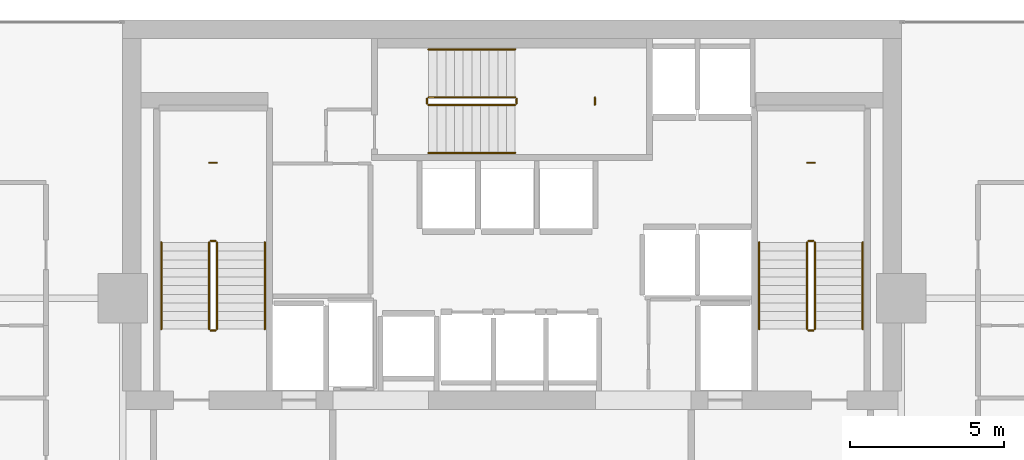
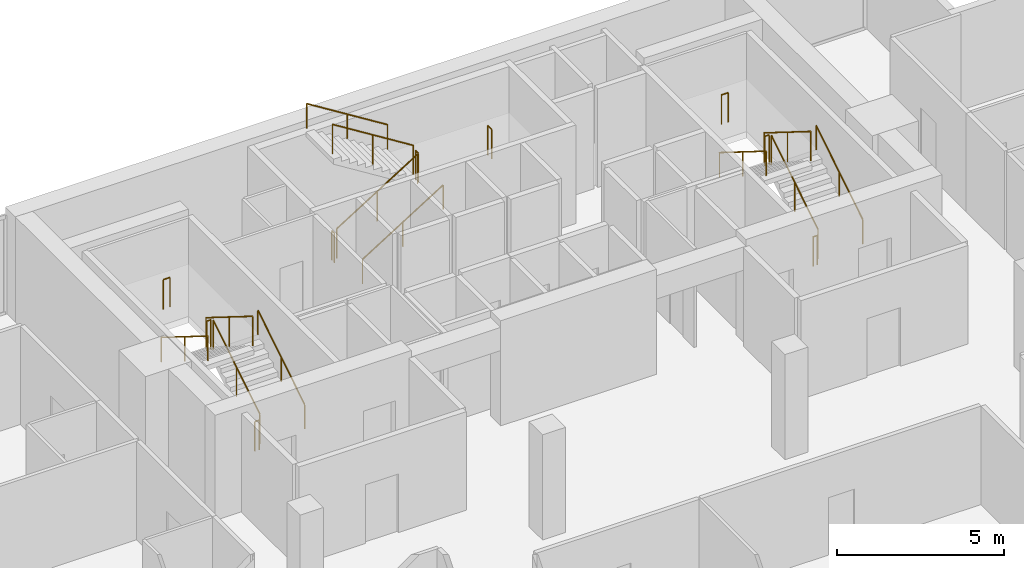
# One storey, part 25 of 25: 21 railings.
"""IFC4 building model written with IfcOpenShell, lengths in metres."""

from ifc_helpers import new_model, si_unit, direction, frame, origin, origin_2d, place, context, subcontext, project, spatial, circle, extrude, material, type_object, element, save


model = new_model("IFC4")

# Units and contexts
model_context = context("Model", 3, precision=1e-05, world=origin(), true_north=direction((0.0, 1.0)))
body_context = subcontext(model_context, "Body", "Model", "MODEL_VIEW")
ifc_project = project(units=[si_unit("LENGTHUNIT", "METRE"), si_unit("AREAUNIT", "SQUARE_METRE"), si_unit("VOLUMEUNIT", "CUBIC_METRE"), si_unit("PLANEANGLEUNIT", "RADIAN"), si_unit("MASSUNIT", "GRAM", prefix="KILO")], contexts=[model_context])

# Site, building, storey
site_placement = place(None, origin())
site = spatial("IfcSite", under=ifc_project, at=site_placement, CompositionType="ELEMENT")
building_placement = place(site_placement, origin())
building = spatial("IfcBuilding", under=site, at=building_placement, Name="Maruvema Waterfront Hotel and Observation Tower", CompositionType="ELEMENT")
storey_placement = place(building_placement, frame((0.0, 0.0, 239.39990234375)))
storey = spatial("IfcBuildingStorey", under=building, at=storey_placement, Name="L58", CompositionType="ELEMENT", Elevation=239.39990234375)

# Railings
ifc_material_1 = material(Name="Brushed stainless steel Grade 316", Category="steel")
railing_type_1 = type_object("IfcRailingType", Name="Ramp Continuous Wall Handrail 920 mm", PredefinedType="HANDRAIL", material=ifc_material_1)
railing_1_placement = place(storey_placement, frame((29.800048828125, 44.0, 0.175048828125)))
element("IfcRailing", 1, at=railing_1_placement, inside=storey, type_object=railing_type_1, Name="L58 ST-01 stair handrail 1", PredefinedType="HANDRAIL", context=body_context, shape_type="SweptSolid", body=[
    extrude(circle(Radius=0.02392578125, at=origin_2d()), frame((0.0, 0.0, 0.89599609375), z_axis=(0.0, 0.848002457836, 0.529992293815), x_axis=(-1.0, 0.0, 0.0)), (0.0, 0.0, 1.0), 3.302001953125),
    extrude(circle(Radius=0.02099609375, at=origin_2d()), origin(), (0.0, 0.0, 1.0), 0.871826171875),
    extrude(circle(Radius=0.02099609375, at=origin_2d()), frame((0.0, 1.39990234375, 0.875)), (0.0, 0.0, 1.0), 0.871826171875),
    extrude(circle(Radius=0.02099609375, at=origin_2d()), frame((0.0, 2.800048828125, 1.75)), (0.0, 0.0, 1.0), 0.871826171875),
])
railing_2_placement = place(storey_placement, frame((26.449951171875, 46.800048828125, 2.10009765625)))
element("IfcRailing", 2, at=railing_2_placement, inside=storey, type_object=railing_type_1, Name="L58 ST-01 stair handrail 2", PredefinedType="HANDRAIL", context=body_context, shape_type="SweptSolid", body=[
    extrude(circle(Radius=0.02392578125, at=origin_2d()), frame((0.0, 0.0, 0.89599609375), z_axis=(0.0, -0.848002457836, 0.529992293815), x_axis=(1.0, 0.0, 0.0)), (0.0, 0.0, 1.0), 3.302001953125),
    extrude(circle(Radius=0.02099609375, at=origin_2d()), origin(), (0.0, 0.0, 1.0), 0.871826171875),
    extrude(circle(Radius=0.02099609375, at=origin_2d()), frame((0.0, -1.39990234375, 0.875)), (0.0, 0.0, 1.0), 0.871826171875),
    extrude(circle(Radius=0.02099609375, at=origin_2d()), frame((0.0, -2.800048828125, 1.75)), (0.0, 0.0, 1.0), 0.871826171875),
])
railing_3_placement = place(storey_placement, frame((35.10009765625, 49.699951171875, 0.175048828125)))
element("IfcRailing", 3, at=railing_3_placement, inside=storey, type_object=railing_type_1, Name="L58 ST-02 stair handrail 1", PredefinedType="HANDRAIL", context=body_context, shape_type="SweptSolid", body=[
    extrude(circle(Radius=0.02392578125, at=origin_2d()), frame((0.0, 0.0, 0.89599609375), z_axis=(0.847981687118, 0.0, 0.530025526095), x_axis=(0.0, 1.0, 0.0)), (0.0, 0.0, 1.0), 3.3017578125),
    extrude(circle(Radius=0.02099609375, at=origin_2d()), origin(), (0.0, 0.0, 1.0), 0.871826171875),
    extrude(circle(Radius=0.02099609375, at=origin_2d()), frame((1.39990234375, 0.0, 0.875)), (0.0, 0.0, 1.0), 0.871826171875),
    extrude(circle(Radius=0.02099609375, at=origin_2d()), frame((2.7998046875, 0.0, 1.75)), (0.0, 0.0, 1.0), 0.871826171875),
])
railing_4_placement = place(storey_placement, frame((37.89990234375, 53.050048828125, 2.10009765625)))
element("IfcRailing", 4, at=railing_4_placement, inside=storey, type_object=railing_type_1, Name="L58 ST-02 stair handrail 2", PredefinedType="HANDRAIL", context=body_context, shape_type="SweptSolid", body=[
    extrude(circle(Radius=0.02392578125, at=origin_2d()), frame((0.0, 0.0, 0.89599609375), z_axis=(-0.847981687118, 0.0, 0.530025526095), x_axis=(0.0, -1.0, 0.0)), (0.0, 0.0, 1.0), 3.3017578125),
    extrude(circle(Radius=0.02099609375, at=origin_2d()), origin(), (0.0, 0.0, 1.0), 0.871826171875),
    extrude(circle(Radius=0.02099609375, at=origin_2d()), frame((-1.39990234375, 0.0, 0.875)), (0.0, 0.0, 1.0), 0.871826171875),
    extrude(circle(Radius=0.02099609375, at=origin_2d()), frame((-2.7998046875, 0.0, 1.75)), (0.0, 0.0, 1.0), 0.871826171875),
])
railing_5_placement = place(storey_placement, frame((49.14990234375, 44.0, 0.175048828125)))
element("IfcRailing", 5, at=railing_5_placement, inside=storey, type_object=railing_type_1, Name="L58 ST-03 stair handrail 1", PredefinedType="HANDRAIL", context=body_context, shape_type="SweptSolid", body=[
    extrude(circle(Radius=0.02392578125, at=origin_2d()), frame((0.0, 0.0, 0.89599609375), z_axis=(0.0, 0.848002457836, 0.529992293815), x_axis=(-1.0, 0.0, 0.0)), (0.0, 0.0, 1.0), 3.302001953125),
    extrude(circle(Radius=0.02099609375, at=origin_2d()), origin(), (0.0, 0.0, 1.0), 0.871826171875),
    extrude(circle(Radius=0.02099609375, at=origin_2d()), frame((0.0, 1.39990234375, 0.875)), (0.0, 0.0, 1.0), 0.871826171875),
    extrude(circle(Radius=0.02099609375, at=origin_2d()), frame((0.0, 2.800048828125, 1.75)), (0.0, 0.0, 1.0), 0.871826171875),
])
railing_6_placement = place(storey_placement, frame((45.800048828125, 46.800048828125, 2.10009765625)))
element("IfcRailing", 6, at=railing_6_placement, inside=storey, type_object=railing_type_1, Name="L58 ST-03 stair handrail 2", PredefinedType="HANDRAIL", context=body_context, shape_type="SweptSolid", body=[
    extrude(circle(Radius=0.02392578125, at=origin_2d()), frame((0.0, 0.0, 0.89599609375), z_axis=(0.0, -0.848002457836, 0.529992293815), x_axis=(1.0, 0.0, 0.0)), (0.0, 0.0, 1.0), 3.302001953125),
    extrude(circle(Radius=0.02099609375, at=origin_2d()), origin(), (0.0, 0.0, 1.0), 0.871826171875),
    extrude(circle(Radius=0.02099609375, at=origin_2d()), frame((0.0, -1.39990234375, 0.875)), (0.0, 0.0, 1.0), 0.871826171875),
    extrude(circle(Radius=0.02099609375, at=origin_2d()), frame((0.0, -2.800048828125, 1.75)), (0.0, 0.0, 1.0), 0.871826171875),
])
ifc_material_2 = material(Name="Brushed stainless steel Grade 316", Category="steel")
railing_type_2 = type_object("IfcRailingType", Name="Ramp and Terrace Guard Balustrade 1100 mm", PredefinedType="BALUSTRADE", material=ifc_material_2)
railing_7_placement = place(storey_placement, frame((28.25, 44.0, 0.175048828125)))
element("IfcRailing", 7, at=railing_7_placement, inside=storey, type_object=railing_type_2, Name="L58 ST-01 stair guard 1", PredefinedType="BALUSTRADE", context=body_context, shape_type="SweptSolid", body=[
    extrude(circle(Radius=0.02392578125, at=origin_2d()), frame((0.0, 0.0, 1.076171875), z_axis=(0.0, 0.848002457836, 0.529992293815), x_axis=(-1.0, 0.0, 0.0)), (0.0, 0.0, 1.0), 3.302001953125),
    extrude(circle(Radius=0.02099609375, at=origin_2d()), origin(), (0.0, 0.0, 1.0), 1.052001953125),
    extrude(circle(Radius=0.02099609375, at=origin_2d()), frame((0.0, 1.39990234375, 0.875)), (0.0, 0.0, 1.0), 1.052001953125),
    extrude(circle(Radius=0.02099609375, at=origin_2d()), frame((0.0, 2.800048828125, 1.75)), (0.0, 0.0, 1.0), 1.052001953125),
])
railing_8_placement = place(storey_placement, frame((28.199951171875, 46.85009765625, 1.925048828125)))
element("IfcRailing", 8, at=railing_8_placement, inside=storey, type_object=railing_type_2, Name="L58 ST-01 stair guard 2", PredefinedType="BALUSTRADE", context=body_context, shape_type="SweptSolid", body=[
    extrude(circle(Radius=0.02392578125, at=origin_2d()), frame((0.0, 0.0, 1.076171875), z_axis=(-1.0, 0.0, 0.0), x_axis=(0.0, -1.0, 0.0)), (0.0, 0.0, 1.0), 0.14990234375),
    extrude(circle(Radius=0.02099609375, at=origin_2d()), origin(), (0.0, 0.0, 1.0), 1.052001953125),
    extrude(circle(Radius=0.02099609375, at=origin_2d()), frame((-0.14990234375, 0.0, 0.0)), (0.0, 0.0, 1.0), 1.052001953125),
])
railing_9_placement = place(storey_placement, frame((28.0, 46.800048828125, 2.10009765625)))
element("IfcRailing", 9, at=railing_9_placement, inside=storey, type_object=railing_type_2, Name="L58 ST-01 stair guard 3", PredefinedType="BALUSTRADE", context=body_context, shape_type="SweptSolid", body=[
    extrude(circle(Radius=0.02392578125, at=origin_2d()), frame((0.0, 0.0, 1.076171875), z_axis=(0.0, -0.848002457836, 0.529992293815), x_axis=(1.0, 0.0, 0.0)), (0.0, 0.0, 1.0), 3.302001953125),
    extrude(circle(Radius=0.02099609375, at=origin_2d()), origin(), (0.0, 0.0, 1.0), 1.052001953125),
    extrude(circle(Radius=0.02099609375, at=origin_2d()), frame((0.0, -1.39990234375, 0.875)), (0.0, 0.0, 1.0), 1.052001953125),
    extrude(circle(Radius=0.02099609375, at=origin_2d()), frame((0.0, -2.800048828125, 1.75)), (0.0, 0.0, 1.0), 1.052001953125),
])
railing_10_placement = place(storey_placement, frame((28.199951171875, 43.949951171875, 0.0)))
element("IfcRailing", 10, at=railing_10_placement, inside=storey, type_object=railing_type_2, Name="L58 ST-01 stair guard 4", PredefinedType="BALUSTRADE", context=body_context, shape_type="SweptSolid", body=[
    extrude(circle(Radius=0.02392578125, at=origin_2d()), frame((0.0, 0.0, 1.076171875), z_axis=(-1.0, 0.0, 0.0), x_axis=(0.0, -1.0, 0.0)), (0.0, 0.0, 1.0), 0.14990234375),
    extrude(circle(Radius=0.02099609375, at=origin_2d()), origin(), (0.0, 0.0, 1.0), 1.052001953125),
    extrude(circle(Radius=0.02099609375, at=origin_2d()), frame((-0.14990234375, 0.0, 0.0)), (0.0, 0.0, 1.0), 1.052001953125),
])
railing_11_placement = place(storey_placement, frame((28.239990234375, 49.3798828125, 1.925048828125)))
element("IfcRailing", 11, at=railing_11_placement, inside=storey, type_object=railing_type_2, Name="L58 ST-01 Half-Landing Slot Guard", PredefinedType="BALUSTRADE", context=body_context, shape_type="SweptSolid", body=[
    extrude(circle(Radius=0.02392578125, at=origin_2d()), frame((0.0, 0.0, 1.076171875), z_axis=(-1.0, 0.0, 0.0), x_axis=(0.0, -1.0, 0.0)), (0.0, 0.0, 1.0), 0.22998046875),
    extrude(circle(Radius=0.02099609375, at=origin_2d()), origin(), (0.0, 0.0, 1.0), 1.052001953125),
    extrude(circle(Radius=0.02099609375, at=origin_2d()), frame((-0.22998046875, 0.0, 0.0)), (0.0, 0.0, 1.0), 1.052001953125),
])
railing_12_placement = place(storey_placement, frame((35.10009765625, 51.25, 0.175048828125)))
element("IfcRailing", 12, at=railing_12_placement, inside=storey, type_object=railing_type_2, Name="L58 ST-02 stair guard 1", PredefinedType="BALUSTRADE", context=body_context, shape_type="SweptSolid", body=[
    extrude(circle(Radius=0.02392578125, at=origin_2d()), frame((0.0, 0.0, 1.076171875), z_axis=(0.847981687118, 0.0, 0.530025526095), x_axis=(0.0, 1.0, 0.0)), (0.0, 0.0, 1.0), 3.3017578125),
    extrude(circle(Radius=0.02099609375, at=origin_2d()), origin(), (0.0, 0.0, 1.0), 1.052001953125),
    extrude(circle(Radius=0.02099609375, at=origin_2d()), frame((1.39990234375, 0.0, 0.875)), (0.0, 0.0, 1.0), 1.052001953125),
    extrude(circle(Radius=0.02099609375, at=origin_2d()), frame((2.7998046875, 0.0, 1.75)), (0.0, 0.0, 1.0), 1.052001953125),
])
railing_13_placement = place(storey_placement, frame((37.949951171875, 51.300048828125, 1.925048828125)))
element("IfcRailing", 13, at=railing_13_placement, inside=storey, type_object=railing_type_2, Name="L58 ST-02 stair guard 2", PredefinedType="BALUSTRADE", context=body_context, shape_type="SweptSolid", body=[
    extrude(circle(Radius=0.02392578125, at=origin_2d()), frame((0.0, 0.0, 1.076171875), z_axis=(0.0, 1.0, 0.0), x_axis=(-1.0, 0.0, 0.0)), (0.0, 0.0, 1.0), 0.14990234375),
    extrude(circle(Radius=0.02099609375, at=origin_2d()), origin(), (0.0, 0.0, 1.0), 1.052001953125),
    extrude(circle(Radius=0.02099609375, at=origin_2d()), frame((0.0, 0.14990234375, 0.0)), (0.0, 0.0, 1.0), 1.052001953125),
])
railing_14_placement = place(storey_placement, frame((37.89990234375, 51.5, 2.10009765625)))
element("IfcRailing", 14, at=railing_14_placement, inside=storey, type_object=railing_type_2, Name="L58 ST-02 stair guard 3", PredefinedType="BALUSTRADE", context=body_context, shape_type="SweptSolid", body=[
    extrude(circle(Radius=0.02392578125, at=origin_2d()), frame((0.0, 0.0, 1.076171875), z_axis=(-0.847981687118, 0.0, 0.530025526095), x_axis=(0.0, -1.0, 0.0)), (0.0, 0.0, 1.0), 3.3017578125),
    extrude(circle(Radius=0.02099609375, at=origin_2d()), origin(), (0.0, 0.0, 1.0), 1.052001953125),
    extrude(circle(Radius=0.02099609375, at=origin_2d()), frame((-1.39990234375, 0.0, 0.875)), (0.0, 0.0, 1.0), 1.052001953125),
    extrude(circle(Radius=0.02099609375, at=origin_2d()), frame((-2.7998046875, 0.0, 1.75)), (0.0, 0.0, 1.0), 1.052001953125),
])
railing_15_placement = place(storey_placement, frame((35.050048828125, 51.300048828125, 0.0)))
element("IfcRailing", 15, at=railing_15_placement, inside=storey, type_object=railing_type_2, Name="L58 ST-02 stair guard 4", PredefinedType="BALUSTRADE", context=body_context, shape_type="SweptSolid", body=[
    extrude(circle(Radius=0.02392578125, at=origin_2d()), frame((0.0, 0.0, 1.076171875), z_axis=(0.0, 1.0, 0.0), x_axis=(-1.0, 0.0, 0.0)), (0.0, 0.0, 1.0), 0.14990234375),
    extrude(circle(Radius=0.02099609375, at=origin_2d()), origin(), (0.0, 0.0, 1.0), 1.052001953125),
    extrude(circle(Radius=0.02099609375, at=origin_2d()), frame((0.0, 0.14990234375, 0.0)), (0.0, 0.0, 1.0), 1.052001953125),
])
railing_16_placement = place(storey_placement, frame((40.47998046875, 51.260009765625, 1.925048828125)))
element("IfcRailing", 16, at=railing_16_placement, inside=storey, type_object=railing_type_2, Name="L58 ST-02 Half-Landing Slot Guard", PredefinedType="BALUSTRADE", context=body_context, shape_type="SweptSolid", body=[
    extrude(circle(Radius=0.02392578125, at=origin_2d()), frame((0.0, 0.0, 1.076171875), z_axis=(0.0, 1.0, 0.0), x_axis=(-1.0, 0.0, 0.0)), (0.0, 0.0, 1.0), 0.22998046875),
    extrude(circle(Radius=0.02099609375, at=origin_2d()), origin(), (0.0, 0.0, 1.0), 1.052001953125),
    extrude(circle(Radius=0.02099609375, at=origin_2d()), frame((0.0, 0.22998046875, 0.0)), (0.0, 0.0, 1.0), 1.052001953125),
])
railing_17_placement = place(storey_placement, frame((47.60009765625, 44.0, 0.175048828125)))
element("IfcRailing", 17, at=railing_17_placement, inside=storey, type_object=railing_type_2, Name="L58 ST-03 stair guard 1", PredefinedType="BALUSTRADE", context=body_context, shape_type="SweptSolid", body=[
    extrude(circle(Radius=0.02392578125, at=origin_2d()), frame((0.0, 0.0, 1.076171875), z_axis=(0.0, 0.848002457836, 0.529992293815), x_axis=(-1.0, 0.0, 0.0)), (0.0, 0.0, 1.0), 3.302001953125),
    extrude(circle(Radius=0.02099609375, at=origin_2d()), origin(), (0.0, 0.0, 1.0), 1.052001953125),
    extrude(circle(Radius=0.02099609375, at=origin_2d()), frame((0.0, 1.39990234375, 0.875)), (0.0, 0.0, 1.0), 1.052001953125),
    extrude(circle(Radius=0.02099609375, at=origin_2d()), frame((0.0, 2.800048828125, 1.75)), (0.0, 0.0, 1.0), 1.052001953125),
])
railing_18_placement = place(storey_placement, frame((47.550048828125, 46.85009765625, 1.925048828125)))
element("IfcRailing", 18, at=railing_18_placement, inside=storey, type_object=railing_type_2, Name="L58 ST-03 stair guard 2", PredefinedType="BALUSTRADE", context=body_context, shape_type="SweptSolid", body=[
    extrude(circle(Radius=0.02392578125, at=origin_2d()), frame((0.0, 0.0, 1.076171875), z_axis=(-1.0, 0.0, 0.0), x_axis=(0.0, -1.0, 0.0)), (0.0, 0.0, 1.0), 0.150146484375),
    extrude(circle(Radius=0.02099609375, at=origin_2d()), origin(), (0.0, 0.0, 1.0), 1.052001953125),
    extrude(circle(Radius=0.02099609375, at=origin_2d()), frame((-0.150146484375, 0.0, 0.0)), (0.0, 0.0, 1.0), 1.052001953125),
])
railing_19_placement = place(storey_placement, frame((47.35009765625, 46.800048828125, 2.10009765625)))
element("IfcRailing", 19, at=railing_19_placement, inside=storey, type_object=railing_type_2, Name="L58 ST-03 stair guard 3", PredefinedType="BALUSTRADE", context=body_context, shape_type="SweptSolid", body=[
    extrude(circle(Radius=0.02392578125, at=origin_2d()), frame((0.0, 0.0, 1.076171875), z_axis=(0.0, -0.848002457836, 0.529992293815), x_axis=(1.0, 0.0, 0.0)), (0.0, 0.0, 1.0), 3.302001953125),
    extrude(circle(Radius=0.02099609375, at=origin_2d()), origin(), (0.0, 0.0, 1.0), 1.052001953125),
    extrude(circle(Radius=0.02099609375, at=origin_2d()), frame((0.0, -1.39990234375, 0.875)), (0.0, 0.0, 1.0), 1.052001953125),
    extrude(circle(Radius=0.02099609375, at=origin_2d()), frame((0.0, -2.800048828125, 1.75)), (0.0, 0.0, 1.0), 1.052001953125),
])
railing_20_placement = place(storey_placement, frame((47.550048828125, 43.949951171875, 0.0)))
element("IfcRailing", 20, at=railing_20_placement, inside=storey, type_object=railing_type_2, Name="L58 ST-03 stair guard 4", PredefinedType="BALUSTRADE", context=body_context, shape_type="SweptSolid", body=[
    extrude(circle(Radius=0.02392578125, at=origin_2d()), frame((0.0, 0.0, 1.076171875), z_axis=(-1.0, 0.0, 0.0), x_axis=(0.0, -1.0, 0.0)), (0.0, 0.0, 1.0), 0.150146484375),
    extrude(circle(Radius=0.02099609375, at=origin_2d()), origin(), (0.0, 0.0, 1.0), 1.052001953125),
    extrude(circle(Radius=0.02099609375, at=origin_2d()), frame((-0.150146484375, 0.0, 0.0)), (0.0, 0.0, 1.0), 1.052001953125),
])
railing_21_placement = place(storey_placement, frame((47.590087890625, 49.3798828125, 1.925048828125)))
element("IfcRailing", 21, at=railing_21_placement, inside=storey, type_object=railing_type_2, Name="L58 ST-03 Half-Landing Slot Guard", PredefinedType="BALUSTRADE", context=body_context, shape_type="SweptSolid", body=[
    extrude(circle(Radius=0.02392578125, at=origin_2d()), frame((0.0, 0.0, 1.076171875), z_axis=(-1.0, 0.0, 0.0), x_axis=(0.0, -1.0, 0.0)), (0.0, 0.0, 1.0), 0.22998046875),
    extrude(circle(Radius=0.02099609375, at=origin_2d()), origin(), (0.0, 0.0, 1.0), 1.052001953125),
    extrude(circle(Radius=0.02099609375, at=origin_2d()), frame((-0.22998046875, 0.0, 0.0)), (0.0, 0.0, 1.0), 1.052001953125),
])

save(model, "model.ifc")
